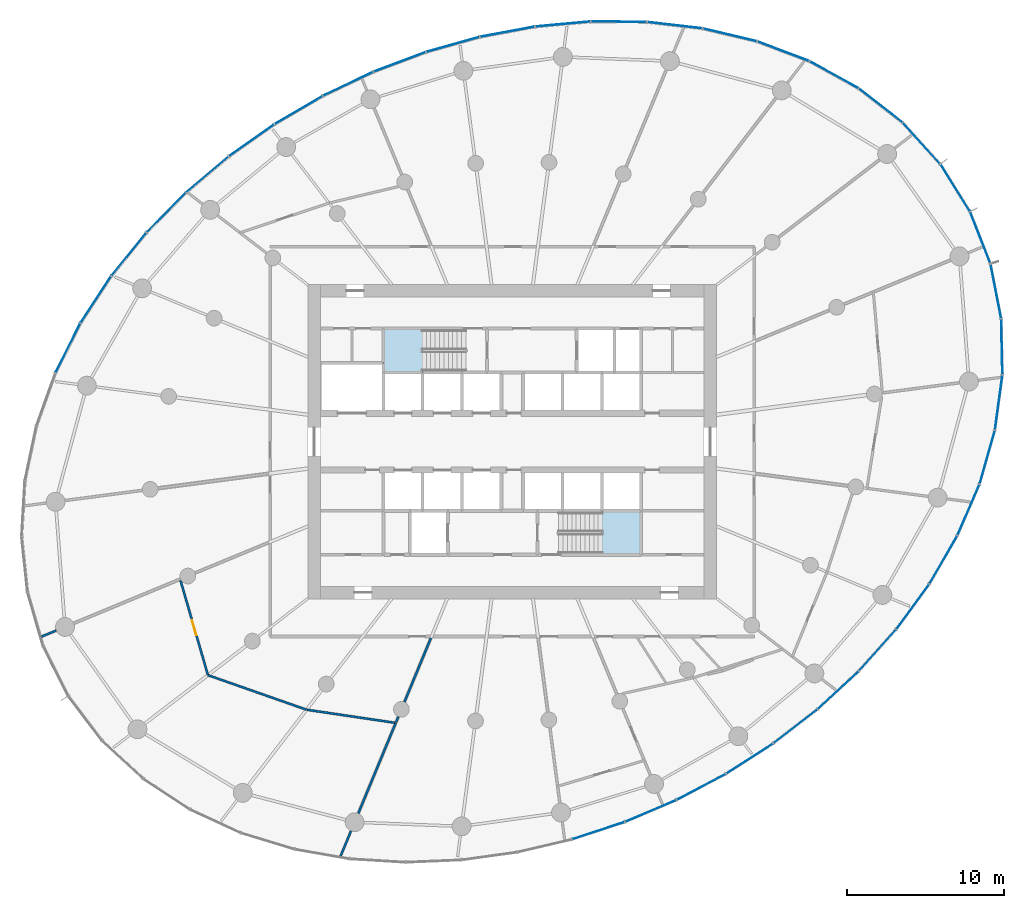
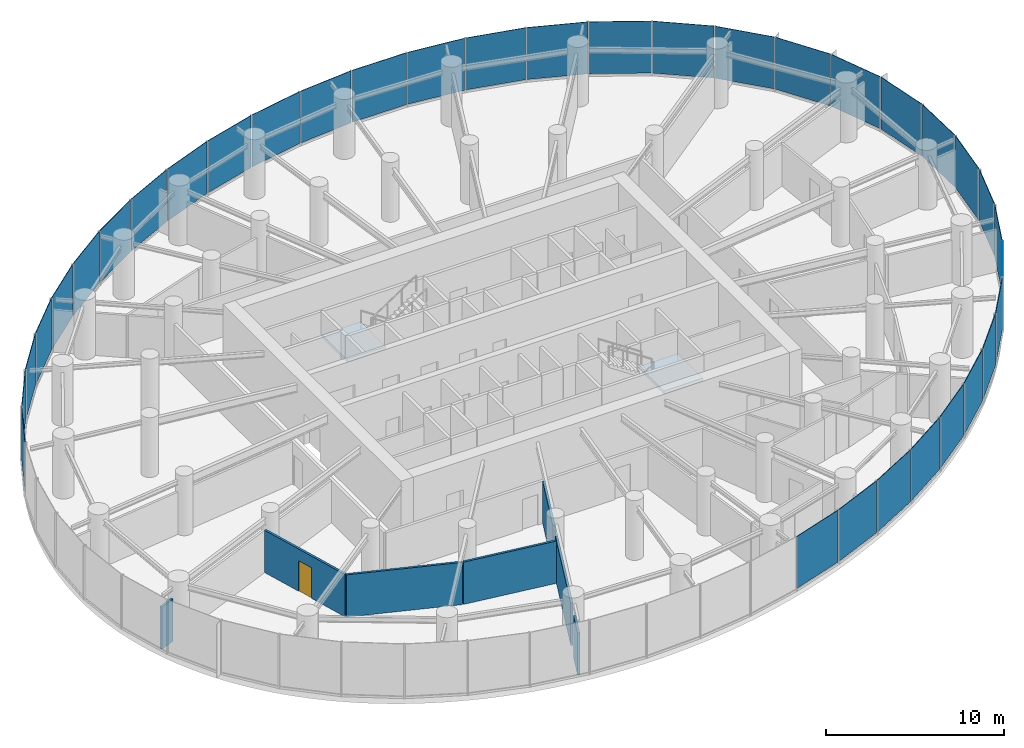
# One storey, part 9 of 17: 35 plates, 8 walls, 2 slabs, 1 door, 1 opening, 9 elements without a shape of their own.
"""IFC4 building model written with IfcOpenShell, lengths in metres."""

from ifc_helpers import new_model, si_unit, direction, frame, frame_2d, origin, origin_2d, place, context, subcontext, project, spatial, line, indexed_curve, rectangle, outline, extrude, source, transform, mapped, material, layer, layer_set, type_object, element, fill, aggregate, save


model = new_model("IFC4")

# Units and contexts
model_context = context("Model", 3, precision=1e-05, world=origin(), true_north=direction((0.0, 1.0)))
body_context = subcontext(model_context, "Body", "Model", "MODEL_VIEW")
ifc_project = project(units=[si_unit("LENGTHUNIT", "METRE"), si_unit("AREAUNIT", "SQUARE_METRE"), si_unit("VOLUMEUNIT", "CUBIC_METRE"), si_unit("PLANEANGLEUNIT", "RADIAN"), si_unit("MASSUNIT", "GRAM", prefix="KILO")], contexts=[model_context])

# Site, building, storey
site_placement = place(None, origin())
site = spatial("IfcSite", under=ifc_project, at=site_placement, CompositionType="ELEMENT")
building_placement = place(site_placement, origin())
building = spatial("IfcBuilding", under=site, at=building_placement, Name="Spindrift Exchange Tower", CompositionType="ELEMENT")
storey_placement = place(building_placement, frame((0.0, 0.0, 100.300048828125)))
storey = spatial("IfcBuildingStorey", under=building, at=storey_placement, Name="L23", CompositionType="ELEMENT", Elevation=100.300048828125)

# Stair, slab
ifc_material_1 = material(Name="Concrete 50 MPa", Category="concrete")
stair_type = type_object("IfcStairType", Name="ST-1250-R186", PredefinedType="HALF_TURN_STAIR", material=ifc_material_1)
stair_1_placement = place(storey_placement, origin())
stair_1 = element("IfcStair", 1, at=stair_1_placement, inside=storey, type_object=stair_type, Name="L23 Exit stair ST1", PredefinedType="HALF_TURN_STAIR")
ifc_layer_1 = layer(ifc_material_1, 0.199951171875)
ifc_layer_set_1 = layer_set([ifc_layer_1], Name="SL-LANDING")
slab_type = type_object("IfcSlabType", Name="SL-LANDING", PredefinedType="LANDING", material=ifc_layer_set_1)
slab_1_placement = place(storey_placement, frame((0.0, 0.0, 1.849853515625)))
slab_1 = element("IfcSlab", 2, at=slab_1_placement, type_object=slab_type, Name="ST1 landing 1", PredefinedType="LANDING", context=body_context, shape_type="SweptSolid", body=[
    extrude(outline(indexed_curve([(46.330078125, 52.39990234375), (43.800048828125, 52.39990234375), (43.800048828125, 55.199951171875), (46.330078125, 55.199951171875)], segments=[line(1, 2, 3, 4, 1)], self_intersect=False)), origin(), (0.0, 0.0, 1.0), 0.2001953125),
])
aggregate(stair_1, [slab_1])

stair_2_placement = place(storey_placement, origin())
stair_2 = element("IfcStair", 3, at=stair_2_placement, inside=storey, type_object=stair_type, Name="L23 Exit stair ST2", PredefinedType="HALF_TURN_STAIR")
slab_2_placement = place(storey_placement, frame((0.0, 0.0, 1.849853515625)))
slab_2 = element("IfcSlab", 4, at=slab_2_placement, type_object=slab_type, Name="ST2 landing 1", PredefinedType="LANDING", context=body_context, shape_type="SweptSolid", body=[
    extrude(outline(indexed_curve([(57.669921875, 43.60009765625), (60.199951171875, 43.60009765625), (60.199951171875, 40.800048828125), (57.669921875, 40.800048828125)], segments=[line(1, 2, 3, 4, 1)], self_intersect=False)), origin(), (0.0, 0.0, 1.0), 0.2001953125),
])
aggregate(stair_2, [slab_2])

# Curtain wall, plate
ifc_material_2 = material(Name="Fritted laminated glass with bronze frame", Category="glass")
ifc_layer_2 = layer(ifc_material_2, 0.18994140625)
ifc_layer_set_2 = layer_set([ifc_layer_2], Name="ZONE 2 BRONZE FRITTED WALL")
curtain_wall_type = type_object("IfcCurtainWallType", Name="ZONE 2 BRONZE FRITTED WALL", PredefinedType="NOTDEFINED", material=ifc_layer_set_2)
curtain_wall_1_placement = place(storey_placement, origin())
curtain_wall_1 = element("IfcCurtainWall", 5, at=curtain_wall_1_placement, inside=storey, type_object=curtain_wall_type, Name="L23 Zone 2 Bronze Fritted Wall run 3", PredefinedType="NOTDEFINED")
ifc_material_3 = material(Name="Bronze fritted laminated glass, close frit", Category="glass")
ifc_layer_3 = layer(ifc_material_3, 0.033935546875)
ifc_layer_set_3 = layer_set([ifc_layer_3], Name="ZONE 2 BRONZE FRITTED WALL PANEL CLOSE FRIT 420")
plate_type_1 = type_object("IfcPlateType", Name="ZONE 2 BRONZE FRITTED WALL PANEL CLOSE FRIT 420", PredefinedType="CURTAIN_PANEL", material=ifc_layer_set_3)
shared_shape_1 = source(origin(), body_context, "Body", "SweptSolid", [
    extrude(rectangle(XDim=3.491455078125, YDim=0.033935546875, at=origin_2d()), origin(), (0.0, 0.0, 1.0), 3.56005859375),
])
plate_1_placement = place(storey_placement, frame((32.593505859375, 64.991455078125, 0.139892578125), z_axis=(0.0, 0.0, 1.0), x_axis=(-0.763801661286, -0.645451022322, 0.0)))
plate_1 = element("IfcPlate", 6, at=plate_1_placement, type_object=plate_type_1, Name="L23 panel CW-2.16", PredefinedType="CURTAIN_PANEL", context=body_context, shape_type="MappedRepresentation", body=[
    mapped(shared_shape_1, transform((0.0, 0.0, 0.0), scale=1.0)),
])

curtain_wall_2_placement = place(storey_placement, origin())
curtain_wall_2 = element("IfcCurtainWall", 7, at=curtain_wall_2_placement, inside=storey, type_object=curtain_wall_type, Name="L23 Zone 2 Bronze Fritted Wall run 7", PredefinedType="NOTDEFINED")
plate_2_placement = place(storey_placement, frame((72.740966796875, 32.189208984375, 0.139892578125), z_axis=(0.0, 0.0, 1.0), x_axis=(0.733996623897, 0.679153116836, 0.0)))
plate_2 = element("IfcPlate", 8, at=plate_2_placement, type_object=plate_type_1, Name="L23 panel CW-2.42", PredefinedType="CURTAIN_PANEL", context=body_context, shape_type="MappedRepresentation", body=[
    mapped(shared_shape_1, transform((0.0, 0.0, 0.0), scale=1.0)),
])

# Curtain wall, plates
curtain_wall_3_placement = place(storey_placement, origin())
curtain_wall_3 = element("IfcCurtainWall", 9, at=curtain_wall_3_placement, inside=storey, type_object=curtain_wall_type, Name="L23 Zone 2 Bronze Fritted Wall run 2", PredefinedType="NOTDEFINED")
ifc_layer_4 = layer(ifc_material_3, 0.033935546875)
ifc_layer_set_4 = layer_set([ifc_layer_4], Name="ZONE 2 BRONZE FRITTED WALL PANEL CLOSE FRIT 300")
plate_type_2 = type_object("IfcPlateType", Name="ZONE 2 BRONZE FRITTED WALL PANEL CLOSE FRIT 300", PredefinedType="CURTAIN_PANEL", material=ifc_layer_set_4)
shared_shape_2 = source(origin(), body_context, "Body", "SweptSolid", [
    extrude(rectangle(XDim=3.491455078125, YDim=0.033935546875, at=origin_2d()), origin(), (0.0, 0.0, 1.0), 3.56005859375),
])
plate_3_placement = place(storey_placement, frame((55.22412109375, 74.5673828125, 0.139892578125), z_axis=(0.0, 0.0, 1.0), x_axis=(-0.995856987441, -0.09093327535, 0.0)))
plate_3 = element("IfcPlate", 10, at=plate_3_placement, type_object=plate_type_2, Name="L23 panel CW-2.9", PredefinedType="CURTAIN_PANEL", context=body_context, shape_type="MappedRepresentation", body=[
    mapped(shared_shape_2, transform((0.0, 0.0, 0.0), scale=1.0)),
])
plate_4_placement = place(storey_placement, frame((51.6953125, 74.078125, 0.139892578125), z_axis=(0.0, 0.0, 1.0), x_axis=(-0.983016800701, -0.183515583914, 0.0)))
plate_4 = element("IfcPlate", 11, at=plate_4_placement, type_object=plate_type_2, Name="L23 panel CW-2.10", PredefinedType="CURTAIN_PANEL", context=body_context, shape_type="MappedRepresentation", body=[
    mapped(shared_shape_2, transform((0.0, 0.0, 0.0), scale=1.0)),
])
shared_shape_3 = source(origin(), body_context, "Body", "SweptSolid", [
    extrude(rectangle(XDim=3.49169921875, YDim=0.033935546875, at=origin_2d()), origin(), (0.0, 0.0, 1.0), 3.56005859375),
])
plate_5_placement = place(storey_placement, frame((48.225341796875, 73.26904296875, 0.139892578125), z_axis=(0.0, 0.0, 1.0), x_axis=(-0.962788503614, -0.270255984779, 0.0)))
plate_5 = element("IfcPlate", 12, at=plate_5_placement, type_object=plate_type_1, Name="L23 panel CW-2.11", PredefinedType="CURTAIN_PANEL", context=body_context, shape_type="MappedRepresentation", body=[
    mapped(shared_shape_3, transform((0.0, 0.0, 0.0), scale=1.0)),
])

# Plate
plate_6_placement = place(storey_placement, frame((38.410400390625, 69.097412109375, 0.139892578125), z_axis=(0.0, 0.0, 1.0), x_axis=(-0.863390267159, -0.504536665244, 0.0)))
plate_6 = element("IfcPlate", 13, at=plate_6_placement, type_object=plate_type_1, Name="L23 panel CW-2.14", PredefinedType="CURTAIN_PANEL", context=body_context, shape_type="MappedRepresentation", body=[
    mapped(shared_shape_3, transform((0.0, 0.0, 0.0), scale=1.0)),
])

plate_7_placement = place(storey_placement, frame((57.479736328125, 23.24951171875, 0.139892578125), z_axis=(0.0, 0.0, 1.0), x_axis=(0.950164301143, 0.311749580326, 0.0)))
plate_7 = element("IfcPlate", 14, at=plate_7_placement, type_object=plate_type_1, Name="L23 panel CW-2.37", PredefinedType="CURTAIN_PANEL", context=body_context, shape_type="MappedRepresentation", body=[
    mapped(shared_shape_3, transform((0.0, 0.0, 0.0), scale=1.0)),
])

plate_8_placement = place(storey_placement, frame((70.0205078125, 29.888427734375, 0.139892578125), z_axis=(0.0, 0.0, 1.0), x_axis=(0.79152762014, 0.611133395059, 0.0)))
plate_8 = element("IfcPlate", 15, at=plate_8_placement, type_object=plate_type_1, Name="L23 panel CW-2.41", PredefinedType="CURTAIN_PANEL", context=body_context, shape_type="MappedRepresentation", body=[
    mapped(shared_shape_3, transform((0.0, 0.0, 0.0), scale=1.0)),
])

shared_shape_4 = source(origin(), body_context, "Body", "SweptSolid", [
    extrude(rectangle(XDim=3.49169921875, YDim=0.033935546875, at=origin_2d()), origin(), (0.0, 0.0, 1.0), 3.56005859375),
])
plate_9_placement = place(storey_placement, frame((64.0322265625, 26.035888671875, 0.139892578125), z_axis=(0.0, 0.0, 1.0), x_axis=(0.883906877446, 0.467662947007, 0.0)))
plate_9 = element("IfcPlate", 16, at=plate_9_placement, type_object=plate_type_2, Name="L23 panel CW-2.39", PredefinedType="CURTAIN_PANEL", context=body_context, shape_type="MappedRepresentation", body=[
    mapped(shared_shape_4, transform((0.0, 0.0, 0.0), scale=1.0)),
])

ifc_layer_5 = layer(ifc_material_3, 0.033935546875)
ifc_layer_set_5 = layer_set([ifc_layer_5], Name="ZONE 2 BRONZE FRITTED WALL PANEL CLOSE FRIT 540")
plate_type_3 = type_object("IfcPlateType", Name="ZONE 2 BRONZE FRITTED WALL PANEL CLOSE FRIT 540", PredefinedType="CURTAIN_PANEL", material=ifc_layer_set_5)
shared_shape_5 = source(origin(), body_context, "Body", "SweptSolid", [
    extrude(rectangle(XDim=3.49169921875, YDim=0.033935546875, at=origin_2d()), origin(), (0.0, 0.0, 1.0), 3.56005859375),
])
plate_10_placement = place(storey_placement, frame((44.83935546875, 72.158935546875, 0.139892578125), z_axis=(0.0, 0.0, 1.0), x_axis=(-0.935944038401, -0.352148771092, 0.0)))
plate_10 = element("IfcPlate", 17, at=plate_10_placement, type_object=plate_type_3, Name="L23 panel CW-2.12", PredefinedType="CURTAIN_PANEL", context=body_context, shape_type="MappedRepresentation", body=[
    mapped(shared_shape_5, transform((0.0, 0.0, 0.0), scale=1.0)),
])

plate_11_placement = place(storey_placement, frame((41.560302734375, 70.76416015625, 0.139892578125), z_axis=(0.0, 0.0, 1.0), x_axis=(-0.902825586322, -0.43000693097, 0.0)))
plate_11 = element("IfcPlate", 18, at=plate_11_placement, type_object=plate_type_3, Name="L23 panel CW-2.13", PredefinedType="CURTAIN_PANEL", context=body_context, shape_type="MappedRepresentation", body=[
    mapped(shared_shape_5, transform((0.0, 0.0, 0.0), scale=1.0)),
])

plate_12_placement = place(storey_placement, frame((35.4130859375, 67.170166015625, 0.139892578125), z_axis=(0.0, 0.0, 1.0), x_axis=(-0.817277677121, -0.576244044204, 0.0)))
plate_12 = element("IfcPlate", 19, at=plate_12_placement, type_object=plate_type_3, Name="L23 panel CW-2.15", PredefinedType="CURTAIN_PANEL", context=body_context, shape_type="MappedRepresentation", body=[
    mapped(shared_shape_5, transform((0.0, 0.0, 0.0), scale=1.0)),
])

plate_13_placement = place(storey_placement, frame((60.81494140625, 24.503662109375, 0.139892578125), z_axis=(0.0, 0.0, 1.0), x_axis=(0.920160108943, 0.391542301558, 0.0)))
plate_13 = element("IfcPlate", 20, at=plate_13_placement, type_object=plate_type_3, Name="L23 panel CW-2.38", PredefinedType="CURTAIN_PANEL", context=body_context, shape_type="MappedRepresentation", body=[
    mapped(shared_shape_5, transform((0.0, 0.0, 0.0), scale=1.0)),
])

plate_14_placement = place(storey_placement, frame((67.10888671875, 27.834228515625, 0.139892578125), z_axis=(0.0, 0.0, 1.0), x_axis=(0.841199486299, 0.540724906261, 0.0)))
plate_14 = element("IfcPlate", 21, at=plate_14_placement, type_object=plate_type_3, Name="L23 panel CW-2.40", PredefinedType="CURTAIN_PANEL", context=body_context, shape_type="MappedRepresentation", body=[
    mapped(shared_shape_5, transform((0.0, 0.0, 0.0), scale=1.0)),
])

aggregate(curtain_wall_2, [plate_7, plate_13, plate_9, plate_14, plate_8, plate_2])

shared_shape_6 = source(origin(), body_context, "Body", "SweptSolid", [
    extrude(rectangle(XDim=3.4912109375, YDim=0.033935546875, at=origin_2d()), origin(), (0.0, 0.0, 1.0), 3.56005859375),
])
plate_15_placement = place(storey_placement, frame((27.6044921875, 59.915771484375, 0.139892578125), z_axis=(0.0, 0.0, 1.0), x_axis=(-0.630232797468, -0.776406221636, 0.0)))
plate_15 = element("IfcPlate", 22, at=plate_15_placement, type_object=plate_type_2, Name="L23 panel CW-2.18", PredefinedType="CURTAIN_PANEL", context=body_context, shape_type="MappedRepresentation", body=[
    mapped(shared_shape_6, transform((0.0, 0.0, 0.0), scale=1.0)),
])

# Curtain wall, plate
curtain_wall_4_placement = place(storey_placement, origin())
curtain_wall_4 = element("IfcCurtainWall", 23, at=curtain_wall_4_placement, inside=storey, type_object=curtain_wall_type, Name="L23 Zone 2 Bronze Fritted Wall run 4", PredefinedType="NOTDEFINED")
shared_shape_7 = source(origin(), body_context, "Body", "SweptSolid", [
    extrude(rectangle(XDim=3.49072265625, YDim=0.033935546875, at=origin_2d()), origin(), (0.0, 0.0, 1.0), 3.56005859375),
])
plate_16_placement = place(storey_placement, frame((23.727783203125, 53.953857421875, 0.139892578125), z_axis=(0.0, 0.0, 1.0), x_axis=(-0.450037656846, -0.893009578571, 0.0)))
plate_16 = element("IfcPlate", 24, at=plate_16_placement, type_object=plate_type_1, Name="L23 panel CW-2.20", PredefinedType="CURTAIN_PANEL", context=body_context, shape_type="MappedRepresentation", body=[
    mapped(shared_shape_7, transform((0.0, 0.0, 0.0), scale=1.0)),
])

curtain_wall_5_placement = place(storey_placement, origin())
curtain_wall_5 = element("IfcCurtainWall", 25, at=curtain_wall_5_placement, inside=storey, type_object=curtain_wall_type, Name="L23 Zone 2 Bronze Fritted Wall run 8", PredefinedType="NOTDEFINED")
plate_17_placement = place(storey_placement, frame((79.426513671875, 40.47900390625, 0.139892578125), z_axis=(0.0, 0.0, 1.0), x_axis=(0.50033400418, 0.865832480484, 0.0)))
plate_17 = element("IfcPlate", 26, at=plate_17_placement, type_object=plate_type_1, Name="L23 panel CW-2.45", PredefinedType="CURTAIN_PANEL", context=body_context, shape_type="MappedRepresentation", body=[
    mapped(shared_shape_7, transform((0.0, 0.0, 0.0), scale=1.0)),
])

curtain_wall_6_placement = place(storey_placement, origin())
curtain_wall_6 = element("IfcCurtainWall", 27, at=curtain_wall_6_placement, inside=storey, type_object=curtain_wall_type, Name="L23 Zone 2 Bronze Fritted Wall run 1", PredefinedType="NOTDEFINED")
shared_shape_8 = source(origin(), body_context, "Body", "SweptSolid", [
    extrude(rectangle(XDim=3.48779296875, YDim=0.033935546875, at=origin_2d()), origin(), (0.0, 0.0, 1.0), 3.56005859375),
])
plate_18_placement = place(storey_placement, frame((80.18505859375, 64.145751953125, 0.139892578125), z_axis=(0.0, 0.0, 1.0), x_axis=(-0.529282662104, 0.848445557238, 0.0)))
plate_18 = element("IfcPlate", 28, at=plate_18_placement, type_object=plate_type_1, Name="L23 panel CW-2.1", PredefinedType="CURTAIN_PANEL", context=body_context, shape_type="MappedRepresentation", body=[
    mapped(shared_shape_8, transform((0.0, 0.0, 0.0), scale=1.0)),
])

curtain_wall_7_placement = place(storey_placement, origin())
curtain_wall_7 = element("IfcCurtainWall", 29, at=curtain_wall_7_placement, inside=storey, type_object=curtain_wall_type, Name="L23 Zone 2 Bronze Fritted Wall run 9", PredefinedType="NOTDEFINED")
shared_shape_9 = source(origin(), body_context, "Body", "SweptSolid", [
    extrude(rectangle(XDim=3.48779296875, YDim=0.033935546875, at=origin_2d()), origin(), (0.0, 0.0, 1.0), 3.56005859375),
])
plate_19_placement = place(storey_placement, frame((81.777587890625, 60.9755859375, 0.139892578125), z_axis=(0.0, 0.0, 1.0), x_axis=(-0.364805283308, 0.931083833643, 0.0)))
plate_19 = element("IfcPlate", 30, at=plate_19_placement, type_object=plate_type_2, Name="L23 panel CW-2.51", PredefinedType="CURTAIN_PANEL", context=body_context, shape_type="MappedRepresentation", body=[
    mapped(shared_shape_9, transform((0.0, 0.0, 0.0), scale=1.0)),
])

# Plate
shared_shape_10 = source(origin(), body_context, "Body", "SweptSolid", [
    extrude(rectangle(XDim=3.4912109375, YDim=0.033935546875, at=origin_2d()), origin(), (0.0, 0.0, 1.0), 3.56005859375),
])
plate_20_placement = place(storey_placement, frame((58.78271484375, 74.714599609375, 0.139892578125), z_axis=(0.0, 0.0, 1.0), x_axis=(-0.999964849768, 0.008384463487, 0.0)))
plate_20 = element("IfcPlate", 31, at=plate_20_placement, type_object=plate_type_1, Name="L23 panel CW-2.8", PredefinedType="CURTAIN_PANEL", context=body_context, shape_type="MappedRepresentation", body=[
    mapped(shared_shape_10, transform((0.0, 0.0, 0.0), scale=1.0)),
])

plate_21_placement = place(storey_placement, frame((77.482421875, 37.495849609375, 0.139892578125), z_axis=(0.0, 0.0, 1.0), x_axis=(0.590160519803, 0.807285922623, 0.0)))
plate_21 = element("IfcPlate", 32, at=plate_21_placement, type_object=plate_type_1, Name="L23 panel CW-2.44", PredefinedType="CURTAIN_PANEL", context=body_context, shape_type="MappedRepresentation", body=[
    mapped(shared_shape_10, transform((0.0, 0.0, 0.0), scale=1.0)),
])

shared_shape_11 = source(origin(), body_context, "Body", "SweptSolid", [
    extrude(rectangle(XDim=3.491455078125, YDim=0.033935546875, at=origin_2d()), origin(), (0.0, 0.0, 1.0), 3.56005859375),
])
plate_22_placement = place(storey_placement, frame((29.97998046875, 62.5703125, 0.139892578125), z_axis=(0.0, 0.0, 1.0), x_axis=(-0.701929328769, -0.712246598738, 0.0)))
plate_22 = element("IfcPlate", 33, at=plate_22_placement, type_object=plate_type_3, Name="L23 panel CW-2.17", PredefinedType="CURTAIN_PANEL", context=body_context, shape_type="MappedRepresentation", body=[
    mapped(shared_shape_11, transform((0.0, 0.0, 0.0), scale=1.0)),
])

aggregate(curtain_wall_1, [plate_11, plate_6, plate_12, plate_1, plate_22, plate_15])

plate_23_placement = place(storey_placement, frame((75.239990234375, 34.728271484375, 0.139892578125), z_axis=(0.0, 0.0, 1.0), x_axis=(0.667397253325, 0.744701890863, 0.0)))
plate_23 = element("IfcPlate", 34, at=plate_23_placement, type_object=plate_type_3, Name="L23 panel CW-2.43", PredefinedType="CURTAIN_PANEL", context=body_context, shape_type="MappedRepresentation", body=[
    mapped(shared_shape_11, transform((0.0, 0.0, 0.0), scale=1.0)),
])

shared_shape_12 = source(origin(), body_context, "Body", "SweptSolid", [
    extrude(rectangle(XDim=3.490478515625, YDim=0.033935546875, at=origin_2d()), origin(), (0.0, 0.0, 1.0), 3.56005859375),
])
plate_24_placement = place(storey_placement, frame((65.842529296875, 73.877197265625, 0.139892578125), z_axis=(0.0, 0.0, 1.0), x_axis=(-0.973036149037, 0.230652666724, 0.0)))
plate_24 = element("IfcPlate", 35, at=plate_24_placement, type_object=plate_type_1, Name="L23 panel CW-2.6", PredefinedType="CURTAIN_PANEL", context=body_context, shape_type="MappedRepresentation", body=[
    mapped(shared_shape_12, transform((0.0, 0.0, 0.0), scale=1.0)),
])

shared_shape_13 = source(origin(), body_context, "Body", "SweptSolid", [
    extrude(rectangle(XDim=3.489990234375, YDim=0.033935546875, at=origin_2d()), origin(), (0.0, 0.0, 1.0), 3.56005859375),
])
plate_25_placement = place(storey_placement, frame((69.244384765625, 72.835205078125, 0.139892578125), z_axis=(0.0, 0.0, 1.0), x_axis=(-0.935288474001, 0.35388623935, 0.0)))
plate_25 = element("IfcPlate", 36, at=plate_25_placement, type_object=plate_type_1, Name="L23 panel CW-2.5", PredefinedType="CURTAIN_PANEL", context=body_context, shape_type="MappedRepresentation", body=[
    mapped(shared_shape_13, transform((0.0, 0.0, 0.0), scale=1.0)),
])

plate_26_placement = place(storey_placement, frame((82.218994140625, 47.01123046875, 0.139892578125), z_axis=(0.0, 0.0, 1.0), x_axis=(0.274353656119, 0.961628863634, 0.0)))
plate_26 = element("IfcPlate", 37, at=plate_26_placement, type_object=plate_type_1, Name="L23 panel CW-2.47", PredefinedType="CURTAIN_PANEL", context=body_context, shape_type="MappedRepresentation", body=[
    mapped(shared_shape_13, transform((0.0, 0.0, 0.0), scale=1.0)),
])

shared_shape_14 = source(origin(), body_context, "Body", "SweptSolid", [
    extrude(rectangle(XDim=3.488037109375, YDim=0.033935546875, at=origin_2d()), origin(), (0.0, 0.0, 1.0), 3.56005859375),
])
plate_27_placement = place(storey_placement, frame((78.04296875, 66.974609375, 0.139892578125), z_axis=(0.0, 0.0, 1.0), x_axis=(-0.673096417665, 0.739554739371, 0.0)))
plate_27 = element("IfcPlate", 38, at=plate_27_placement, type_object=plate_type_3, Name="L23 panel CW-2.2", PredefinedType="CURTAIN_PANEL", context=body_context, shape_type="MappedRepresentation", body=[
    mapped(shared_shape_14, transform((0.0, 0.0, 0.0), scale=1.0)),
])

plate_28_placement = place(storey_placement, frame((82.768798828125, 57.568603515625, 0.139892578125), z_axis=(0.0, 0.0, 1.0), x_axis=(-0.191547357518, 0.981483372161, 0.0)))
plate_28 = element("IfcPlate", 39, at=plate_28_placement, type_object=plate_type_3, Name="L23 panel CW-2.50", PredefinedType="CURTAIN_PANEL", context=body_context, shape_type="MappedRepresentation", body=[
    mapped(shared_shape_14, transform((0.0, 0.0, 0.0), scale=1.0)),
])

shared_shape_15 = source(origin(), body_context, "Body", "SweptSolid", [
    extrude(rectangle(XDim=3.489501953125, YDim=0.033935546875, at=origin_2d()), origin(), (0.0, 0.0, 1.0), 3.56005859375),
])
plate_29_placement = place(storey_placement, frame((72.471923828125, 71.343017578125, 0.139892578125), z_axis=(0.0, 0.0, 1.0), x_axis=(-0.875453561445, 0.483302246791, 0.0)))
plate_29 = element("IfcPlate", 40, at=plate_29_placement, type_object=plate_type_1, Name="L23 panel CW-2.4", PredefinedType="CURTAIN_PANEL", context=body_context, shape_type="MappedRepresentation", body=[
    mapped(shared_shape_15, transform((0.0, 0.0, 0.0), scale=1.0)),
])

shared_shape_16 = source(origin(), body_context, "Body", "SweptSolid", [
    extrude(rectangle(XDim=3.48876953125, YDim=0.033935546875, at=origin_2d()), origin(), (0.0, 0.0, 1.0), 3.56005859375),
])
plate_30_placement = place(storey_placement, frame((75.43798828125, 69.386962890625, 0.139892578125), z_axis=(0.0, 0.0, 1.0), x_axis=(-0.789005812945, 0.614385731555, 0.0)))
plate_30 = element("IfcPlate", 41, at=plate_30_placement, type_object=plate_type_2, Name="L23 panel CW-2.3", PredefinedType="CURTAIN_PANEL", context=body_context, shape_type="MappedRepresentation", body=[
    mapped(shared_shape_16, transform((0.0, 0.0, 0.0), scale=1.0)),
])

aggregate(curtain_wall_6, [plate_18, plate_27, plate_30, plate_29, plate_25, plate_24])

plate_31_placement = place(storey_placement, frame((83.149169921875, 54.03857421875, 0.139892578125), z_axis=(0.0, 0.0, 1.0), x_axis=(-0.021971927017, 0.999758588072, 0.0)))
plate_31 = element("IfcPlate", 42, at=plate_31_placement, type_object=plate_type_2, Name="L23 panel CW-2.49", PredefinedType="CURTAIN_PANEL", context=body_context, shape_type="MappedRepresentation", body=[
    mapped(shared_shape_16, transform((0.0, 0.0, 0.0), scale=1.0)),
])

aggregate(curtain_wall_7, [plate_31, plate_28, plate_19])

shared_shape_17 = source(origin(), body_context, "Body", "SweptSolid", [
    extrude(rectangle(XDim=3.490478515625, YDim=0.033935546875, at=origin_2d()), origin(), (0.0, 0.0, 1.0), 3.56005859375),
])
plate_32_placement = place(storey_placement, frame((81.024169921875, 43.659912109375, 0.139892578125), z_axis=(0.0, 0.0, 1.0), x_axis=(0.39576349824, 0.9183524669, 0.0)))
plate_32 = element("IfcPlate", 43, at=plate_32_placement, type_object=plate_type_3, Name="L23 panel CW-2.46", PredefinedType="CURTAIN_PANEL", context=body_context, shape_type="MappedRepresentation", body=[
    mapped(shared_shape_17, transform((0.0, 0.0, 0.0), scale=1.0)),
])

shared_shape_18 = source(origin(), body_context, "Body", "SweptSolid", [
    extrude(rectangle(XDim=3.490966796875, YDim=0.033935546875, at=origin_2d()), origin(), (0.0, 0.0, 1.0), 3.56005859375),
])
plate_33_placement = place(storey_placement, frame((62.3369140625, 74.494140625, 0.139892578125), z_axis=(0.0, 0.0, 1.0), x_axis=(-0.993322520247, 0.115370580174, 0.0)))
plate_33 = element("IfcPlate", 44, at=plate_33_placement, type_object=plate_type_1, Name="L23 panel CW-2.7", PredefinedType="CURTAIN_PANEL", context=body_context, shape_type="MappedRepresentation", body=[
    mapped(shared_shape_18, transform((0.0, 0.0, 0.0), scale=1.0)),
])

aggregate(curtain_wall_3, [plate_33, plate_20, plate_3, plate_4, plate_5, plate_10])

plate_34_placement = place(storey_placement, frame((25.50537109375, 57.038818359375, 0.139892578125), z_axis=(0.0, 0.0, 1.0), x_axis=(-0.546936545922, -0.837174064777, 0.0)))
plate_34 = element("IfcPlate", 45, at=plate_34_placement, type_object=plate_type_1, Name="L23 panel CW-2.19", PredefinedType="CURTAIN_PANEL", context=body_context, shape_type="MappedRepresentation", body=[
    mapped(shared_shape_18, transform((0.0, 0.0, 0.0), scale=1.0)),
])

aggregate(curtain_wall_4, [plate_34, plate_16])

shared_shape_19 = source(origin(), body_context, "Body", "SweptSolid", [
    extrude(rectangle(XDim=3.4892578125, YDim=0.033935546875, at=origin_2d()), origin(), (0.0, 0.0, 1.0), 3.56005859375),
])
plate_35_placement = place(storey_placement, frame((82.947998046875, 50.4912109375, 0.139892578125), z_axis=(0.0, 0.0, 1.0), x_axis=(0.134807695464, 0.990871780425, 0.0)))
plate_35 = element("IfcPlate", 46, at=plate_35_placement, type_object=plate_type_2, Name="L23 panel CW-2.48", PredefinedType="CURTAIN_PANEL", context=body_context, shape_type="MappedRepresentation", body=[
    mapped(shared_shape_19, transform((0.0, 0.0, 0.0), scale=1.0)),
])

aggregate(curtain_wall_5, [plate_23, plate_21, plate_17, plate_32, plate_26, plate_35])

# Wall
ifc_material_4 = material(Name="Fire-rated plasterboard partition", Category="gypsum")
ifc_layer_6 = layer(ifc_material_4, 0.139892578125)
ifc_layer_set_6 = layer_set([ifc_layer_6], Name="W-PLANT-140")
wall_type = type_object("IfcWallType", Name="W-PLANT-140", PredefinedType="PARTITIONING", material=ifc_layer_set_6)
wall_1_placement = place(storey_placement, frame((32.63916015625, 33.143798828125, 0.0), z_axis=(0.0, 0.0, 1.0), x_axis=(0.943712844309, -0.330765880173, 0.0)))
element("IfcWall", 47, at=wall_1_placement, inside=storey, type_object=wall_type, Name="L23 Partition wall 70", PredefinedType="PARTITIONING", context=body_context, shape_type="SweptSolid", body=[
    extrude(rectangle(XDim=6.648193359375, YDim=0.139892578125, at=frame_2d((3.32421875, 0.0))), origin(), (0.0, 0.0, 1.0), 2.89990234375),
])

# Wall, opening, door
wall_2_placement = place(storey_placement, frame((32.630859375, 33.172607421875, 0.0), z_axis=(0.0, 0.0, 1.0), x_axis=(-0.278343340878, 0.960481641984, 0.0)))
wall_2 = element("IfcWall", 48, at=wall_2_placement, inside=storey, type_object=wall_type, Name="L23 Partition wall 72", PredefinedType="PARTITIONING", context=body_context, shape_type="SweptSolid", body=[
    extrude(rectangle(XDim=6.254638671875, YDim=0.139892578125, at=frame_2d((3.12744140625, 0.0))), origin(), (0.0, 0.0, 1.0), 2.89990234375),
])
opening_placement = place(wall_2_placement, frame((2.6044921875, 0.0, 0.0)))
opening = element("IfcOpeningElement", 49, at=opening_placement, cuts=wall_2, Name="Opening L23-D42", PredefinedType="OPENING", context=body_context, shape_type="SweptSolid", body=[
    extrude(rectangle(XDim=1.0, YDim=2.10009765625, at=frame_2d((0.5, 1.050048828125))), frame((0.0, 0.079833984375, 0.0), z_axis=(0.0, -1.0, 0.0), x_axis=(1.0, 0.0, 0.0)), (0.0, 0.0, 1.0), 0.159912109375),
])
ifc_material_5 = material(Name="Timber-core fire door", Category="wood")
door_type = type_object("IfcDoorType", Name="DR-ROOM-1000", OperationType="NOTDEFINED", PredefinedType="DOOR", material=ifc_material_5)
shared_shape_20 = source(origin(), body_context, "Body", "SweptSolid", [
    extrude(rectangle(XDim=1.0, YDim=2.10009765625, at=frame_2d((0.5, 1.050048828125))), frame((0.0, 0.02490234375, 0.0), z_axis=(0.0, -1.0, 0.0), x_axis=(1.0, 0.0, 0.0)), (0.0, 0.0, 1.0), 0.050048828125),
])
door_placement = place(opening_placement, origin())
door = element("IfcDoor", 50, at=door_placement, inside=storey, type_object=door_type, Name="L23 Door 42", OperationType="SINGLE_SWING_RIGHT", OverallHeight=2.10009765625, OverallWidth=1.0, PredefinedType="DOOR", context=body_context, shape_type="MappedRepresentation", body=[
    mapped(shared_shape_20, transform((0.0, 0.0, 0.0), scale=1.0)),
])
fill(opening, door)

# Walls
wall_3_placement = place(storey_placement, frame((44.587890625, 30.105712890625, 0.0), z_axis=(0.0, 0.0, 1.0), x_axis=(-0.382687319502, -0.923877922397, 0.0)))
element("IfcWall", 51, at=wall_3_placement, inside=storey, type_object=wall_type, Name="L23 Partition wall 73", PredefinedType="PARTITIONING", context=body_context, shape_type="SweptSolid", body=[
    extrude(rectangle(XDim=6.233642578125, YDim=0.139892578125, at=frame_2d((3.11669921875, 0.0))), origin(), (0.0, 0.0, 1.0), 2.89990234375),
])
wall_4_placement = place(storey_placement, frame((38.94287109375, 30.9404296875, 0.0), z_axis=(0.0, 0.0, 1.0), x_axis=(0.98924251215, -0.146284832283, 0.0)))
element("IfcWall", 52, at=wall_4_placement, inside=storey, type_object=wall_type, Name="L23 Partition wall 80", PredefinedType="PARTITIONING", context=body_context, shape_type="SweptSolid", body=[
    extrude(rectangle(XDim=5.63427734375, YDim=0.139892578125, at=frame_2d((2.817138671875, 0.0))), origin(), (0.0, 0.0, 1.0), 2.89990234375),
])
wall_5_placement = place(storey_placement, frame((46.826416015625, 35.510009765625, 0.0), z_axis=(0.0, 0.0, 1.0), x_axis=(-0.382672831764, -0.923883923353, 0.0)))
element("IfcWall", 53, at=wall_5_placement, inside=storey, type_object=wall_type, Name="L23 Partition wall 91", PredefinedType="PARTITIONING", context=body_context, shape_type="SweptSolid", body=[
    extrude(rectangle(XDim=4.410400390625, YDim=0.139892578125, at=frame_2d((2.205078125, 0.0))), origin(), (0.0, 0.0, 1.0), 2.89990234375),
])
wall_6_placement = place(storey_placement, frame((41.739501953125, 23.22900390625, 0.0), z_axis=(0.0, 0.0, 1.0), x_axis=(-0.382769756697, -0.923843771077, 0.0)))
element("IfcWall", 54, at=wall_6_placement, inside=storey, type_object=wall_type, Name="L23 Partition wall 110", PredefinedType="PARTITIONING", context=body_context, shape_type="SweptSolid", body=[
    extrude(rectangle(XDim=1.719482421875, YDim=0.139892578125, at=frame_2d((0.85986328125, 0.0))), origin(), (0.0, 0.0, 1.0), 2.89990234375),
])
wall_7_placement = place(storey_placement, frame((22.985595703125, 35.981689453125, 0.0), z_axis=(0.0, 0.0, 1.0), x_axis=(-0.923909071339, -0.38261211154, 0.0)))
element("IfcWall", 55, at=wall_7_placement, inside=storey, type_object=wall_type, Name="L23 Partition wall 122", PredefinedType="PARTITIONING", context=body_context, shape_type="SweptSolid", body=[
    extrude(rectangle(XDim=1.021484375, YDim=0.139892578125, at=frame_2d((0.5107421875, 0.0))), origin(), (0.0, 0.0, 1.0), 2.89990234375),
])
wall_8_placement = place(storey_placement, frame((44.752197265625, 30.502197265625, 0.0), z_axis=(0.0, 0.0, 1.0), x_axis=(-0.382441868588, -0.923979554509, 0.0)))
element("IfcWall", 56, at=wall_8_placement, inside=storey, type_object=wall_type, Name="L23 Partition wall 128", PredefinedType="PARTITIONING", context=body_context, shape_type="SweptSolid", body=[
    extrude(rectangle(XDim=0.39892578125, YDim=0.139892578125, at=frame_2d((0.199462890625, 0.0))), origin(), (0.0, 0.0, 1.0), 2.89990234375),
])

save(model, "model.ifc")
